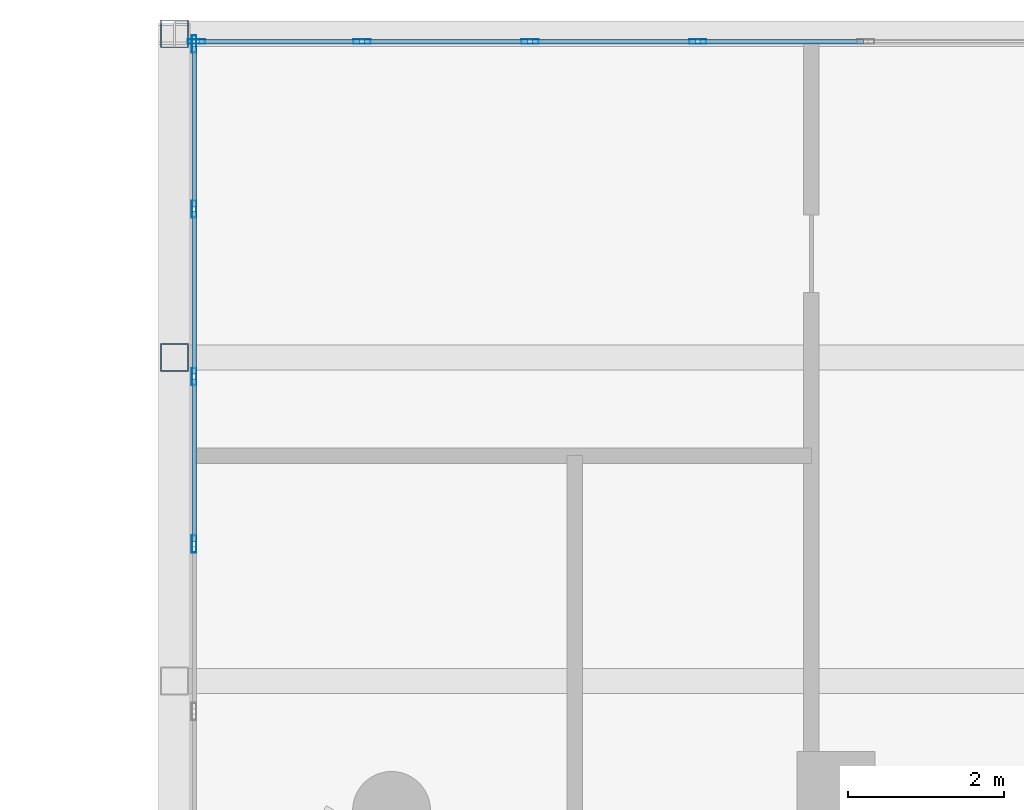
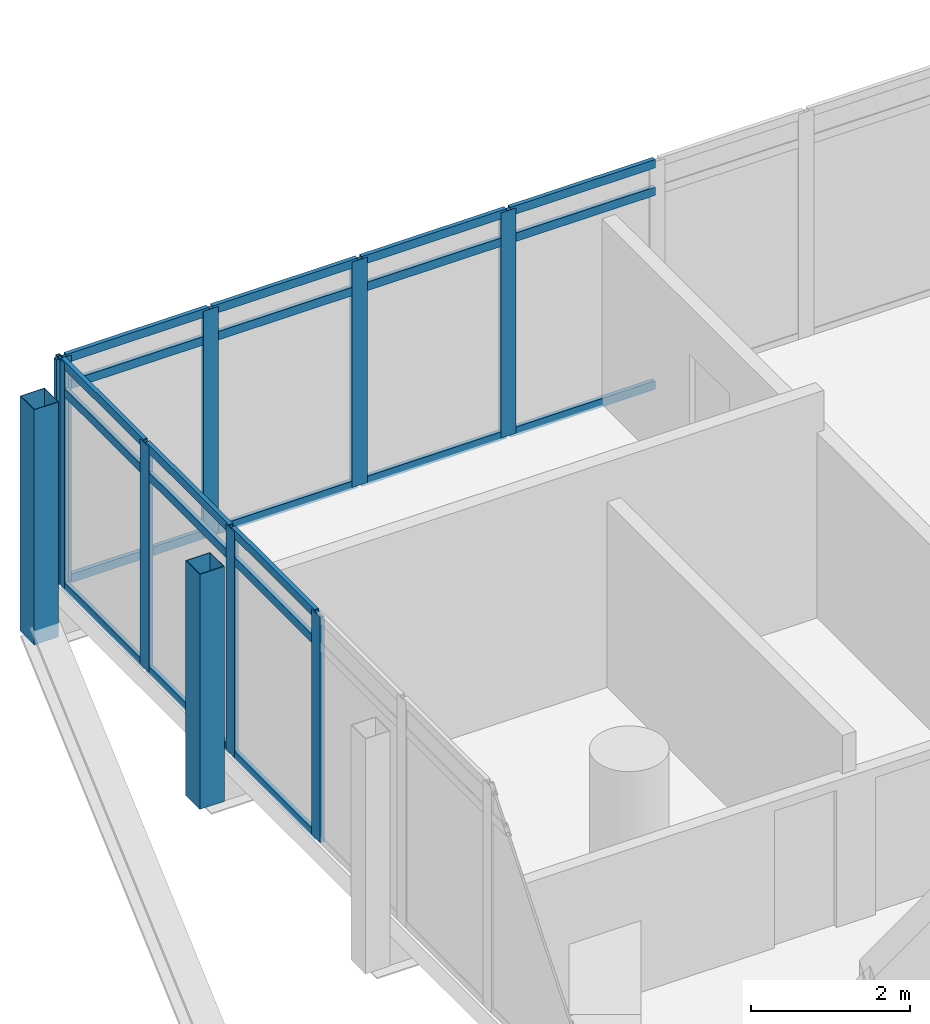
# One storey, part 20 of 38: 31 members, 2 elements without a shape of their own.
"""IFC4 building model written with IfcOpenShell, lengths in metres."""

from ifc_helpers import new_model, si_unit, direction, frame, origin, origin_2d, place, context, subcontext, project, spatial, hollow_rectangle, extrude, material, material_profile, profile_set, type_object, element, aggregate, save


model = new_model("IFC4")

# Units and contexts
model_context = context("Model", 3, precision=1e-05, world=origin(), true_north=direction((0.0, 1.0)))
body_context = subcontext(model_context, "Body", "Model", "MODEL_VIEW")
ifc_project = project(units=[si_unit("LENGTHUNIT", "METRE"), si_unit("AREAUNIT", "SQUARE_METRE"), si_unit("VOLUMEUNIT", "CUBIC_METRE"), si_unit("PLANEANGLEUNIT", "RADIAN"), si_unit("MASSUNIT", "GRAM", prefix="KILO")], contexts=[model_context])

# Site, building, storey
site_placement = place(None, origin())
site = spatial("IfcSite", under=ifc_project, at=site_placement, CompositionType="ELEMENT")
building_placement = place(site_placement, origin())
building = spatial("IfcBuilding", under=site, at=building_placement, Name="Ostrander Bayou Hotel Tower", CompositionType="ELEMENT")
storey_placement = place(building_placement, frame((0.0, 0.0, 194.5)))
storey = spatial("IfcBuildingStorey", under=building, at=storey_placement, Name="L48", CompositionType="ELEMENT", Elevation=194.5)

# Curtain wall, members
ifc_material_1 = material(Name="Aluminium and clear glass", Category="aluminium")
curtain_wall_type = type_object("IfcCurtainWallType", Name="CW-BAR glazed wall", PredefinedType="NOTDEFINED", material=ifc_material_1)
curtain_wall_1_placement = place(storey_placement, origin())
curtain_wall_1 = element("IfcCurtainWall", 1, at=curtain_wall_1_placement, inside=storey, type_object=curtain_wall_type, Name="CW-BAR L48:SB4N:E", PredefinedType="NOTDEFINED")
ifc_material_2 = material(Name="Aluminium", Category="aluminium")
ifc_material_profile_1 = material_profile(ifc_material_2, hollow_rectangle(XDim=0.06005859375, YDim=0.219970703125, WallThickness=0.00390625, at=origin_2d()))
ifc_profile_set_1 = profile_set([ifc_material_profile_1], Name="Aluminium")
member_type_1 = type_object("IfcMemberType", Name="CW-BR mullion 60 x 220 mm", PredefinedType="MULLION", material=ifc_profile_set_1)
member_1_placement = place(storey_placement, frame((-11.857177734375, 21.465576171875, 0.0), z_axis=(0.0, 0.0, 1.0), x_axis=(-1.0, 0.0, 0.0)))
member_1 = element("IfcMember", 2, at=member_1_placement, type_object=member_type_1, Name="CW-BAR mullion 7", PredefinedType="MULLION", context=body_context, shape_type="SweptSolid", body=[
    extrude(hollow_rectangle(XDim=0.06005859375, YDim=0.219970703125, WallThickness=0.00390625, at=origin_2d()), origin(), (0.0, 0.0, 1.0), 3.449951171875),
])
member_2_placement = place(storey_placement, frame((-11.857177734375, 23.61572265625, 0.0), z_axis=(0.0, 0.0, 1.0), x_axis=(-1.0, 0.0, 0.0)))
member_2 = element("IfcMember", 3, at=member_2_placement, type_object=member_type_1, Name="CW-BAR mullion 8", PredefinedType="MULLION", context=body_context, shape_type="SweptSolid", body=[
    extrude(hollow_rectangle(XDim=0.06005859375, YDim=0.219970703125, WallThickness=0.00390625, at=origin_2d()), origin(), (0.0, 0.0, 1.0), 3.449951171875),
])
member_3_placement = place(storey_placement, frame((-11.857177734375, 25.765869140625, 0.0), z_axis=(0.0, 0.0, 1.0), x_axis=(-1.0, 0.0, 0.0)))
member_3 = element("IfcMember", 4, at=member_3_placement, type_object=member_type_1, Name="CW-BAR mullion 9", PredefinedType="MULLION", context=body_context, shape_type="SweptSolid", body=[
    extrude(hollow_rectangle(XDim=0.06005859375, YDim=0.219970703125, WallThickness=0.00390625, at=origin_2d()), origin(), (0.0, 0.0, 1.0), 3.449951171875),
])
member_4_placement = place(storey_placement, frame((-11.857177734375, 27.885986328125, 0.0), z_axis=(0.0, 0.0, 1.0), x_axis=(-1.0, 0.0, 0.0)))
member_4 = element("IfcMember", 5, at=member_4_placement, type_object=member_type_1, Name="CW-BAR mullion 10", PredefinedType="MULLION", context=body_context, shape_type="SweptSolid", body=[
    extrude(hollow_rectangle(XDim=0.06005859375, YDim=0.219970703125, WallThickness=0.00390625, at=origin_2d()), origin(), (0.0, 0.0, 1.0), 3.449951171875),
])

curtain_wall_2_placement = place(storey_placement, origin())
curtain_wall_2 = element("IfcCurtainWall", 6, at=curtain_wall_2_placement, inside=storey, type_object=curtain_wall_type, Name="CW-BAR L48:SB4N:T", PredefinedType="NOTDEFINED")
member_5_placement = place(storey_placement, frame((-11.8271484375, 27.916015625, 0.0), z_axis=(0.0, 0.0, 1.0), x_axis=(0.0, 1.0, 0.0)))
member_5 = element("IfcMember", 7, at=member_5_placement, type_object=member_type_1, Name="CW-BAR mullion 1", PredefinedType="MULLION", context=body_context, shape_type="SweptSolid", body=[
    extrude(hollow_rectangle(XDim=0.06005859375, YDim=0.219970703125, WallThickness=0.00390625, at=origin_2d()), origin(), (0.0, 0.0, 1.0), 3.449951171875),
])
member_6_placement = place(storey_placement, frame((-9.701416015625, 27.916015625, 0.0), z_axis=(0.0, 0.0, 1.0), x_axis=(0.0, 1.0, 0.0)))
member_6 = element("IfcMember", 8, at=member_6_placement, type_object=member_type_1, Name="CW-BAR mullion 2", PredefinedType="MULLION", context=body_context, shape_type="SweptSolid", body=[
    extrude(hollow_rectangle(XDim=0.06005859375, YDim=0.219970703125, WallThickness=0.00390625, at=origin_2d()), origin(), (0.0, 0.0, 1.0), 3.449951171875),
])
member_7_placement = place(storey_placement, frame((-7.54541015625, 27.916015625, 0.0), z_axis=(0.0, 0.0, 1.0), x_axis=(0.0, 1.0, 0.0)))
member_7 = element("IfcMember", 9, at=member_7_placement, type_object=member_type_1, Name="CW-BAR mullion 3", PredefinedType="MULLION", context=body_context, shape_type="SweptSolid", body=[
    extrude(hollow_rectangle(XDim=0.06005859375, YDim=0.219970703125, WallThickness=0.00390625, at=origin_2d()), origin(), (0.0, 0.0, 1.0), 3.449951171875),
])
member_8_placement = place(storey_placement, frame((-5.3896484375, 27.916015625, 0.0), z_axis=(0.0, 0.0, 1.0), x_axis=(0.0, 1.0, 0.0)))
member_8 = element("IfcMember", 10, at=member_8_placement, type_object=member_type_1, Name="CW-BAR mullion 4", PredefinedType="MULLION", context=body_context, shape_type="SweptSolid", body=[
    extrude(hollow_rectangle(XDim=0.06005859375, YDim=0.219970703125, WallThickness=0.00390625, at=origin_2d()), origin(), (0.0, 0.0, 1.0), 3.449951171875),
])

# Member
ifc_material_3 = material(Name="Aluminium", Category="aluminium")
ifc_material_profile_2 = material_profile(ifc_material_3, hollow_rectangle(XDim=0.06005859375, YDim=0.1298828125, WallThickness=0.00390625, at=origin_2d()))
ifc_profile_set_2 = profile_set([ifc_material_profile_2], Name="Aluminium")
member_type_2 = type_object("IfcMemberType", Name="CW-BR transom 60 x 130 mm", PredefinedType="USERDEFINED", material=ifc_profile_set_2)
member_9_placement = place(storey_placement, frame((-11.857177734375, 21.49560546875, 0.030029296875), z_axis=(0.0, 1.0, 0.0), x_axis=(-1.0, 0.0, 0.0)))
member_9 = element("IfcMember", 11, at=member_9_placement, type_object=member_type_2, Name="CW-BAR transom 7.1", ObjectType="TRANSOM", PredefinedType="USERDEFINED", context=body_context, shape_type="SweptSolid", body=[
    extrude(hollow_rectangle(XDim=0.06005859375, YDim=0.1298828125, WallThickness=0.00390625, at=origin_2d()), origin(), (0.0, 0.0, 1.0), 2.090087890625),
])

member_10_placement = place(storey_placement, frame((-11.857177734375, 21.49560546875, 3.0), z_axis=(0.0, 1.0, 0.0), x_axis=(-1.0, 0.0, 0.0)))
member_10 = element("IfcMember", 12, at=member_10_placement, type_object=member_type_2, Name="CW-BAR transom 7.2", ObjectType="TRANSOM", PredefinedType="USERDEFINED", context=body_context, shape_type="SweptSolid", body=[
    extrude(hollow_rectangle(XDim=0.06005859375, YDim=0.1298828125, WallThickness=0.00390625, at=origin_2d()), origin(), (0.0, 0.0, 1.0), 2.090087890625),
])

member_11_placement = place(storey_placement, frame((-11.857177734375, 21.49560546875, 3.419921875), z_axis=(0.0, 1.0, 0.0), x_axis=(-1.0, 0.0, 0.0)))
member_11 = element("IfcMember", 13, at=member_11_placement, type_object=member_type_2, Name="CW-BAR transom 7.3", ObjectType="TRANSOM", PredefinedType="USERDEFINED", context=body_context, shape_type="SweptSolid", body=[
    extrude(hollow_rectangle(XDim=0.06005859375, YDim=0.1298828125, WallThickness=0.00390625, at=origin_2d()), origin(), (0.0, 0.0, 1.0), 2.090087890625),
])

member_12_placement = place(storey_placement, frame((-11.857177734375, 23.645751953125, 0.030029296875), z_axis=(0.0, 1.0, 0.0), x_axis=(-1.0, 0.0, 0.0)))
member_12 = element("IfcMember", 14, at=member_12_placement, type_object=member_type_2, Name="CW-BAR transom 8.1", ObjectType="TRANSOM", PredefinedType="USERDEFINED", context=body_context, shape_type="SweptSolid", body=[
    extrude(hollow_rectangle(XDim=0.06005859375, YDim=0.1298828125, WallThickness=0.00390625, at=origin_2d()), origin(), (0.0, 0.0, 1.0), 2.090087890625),
])

member_13_placement = place(storey_placement, frame((-11.857177734375, 23.645751953125, 3.0), z_axis=(0.0, 1.0, 0.0), x_axis=(-1.0, 0.0, 0.0)))
member_13 = element("IfcMember", 15, at=member_13_placement, type_object=member_type_2, Name="CW-BAR transom 8.2", ObjectType="TRANSOM", PredefinedType="USERDEFINED", context=body_context, shape_type="SweptSolid", body=[
    extrude(hollow_rectangle(XDim=0.06005859375, YDim=0.1298828125, WallThickness=0.00390625, at=origin_2d()), origin(), (0.0, 0.0, 1.0), 2.090087890625),
])

member_14_placement = place(storey_placement, frame((-11.857177734375, 23.645751953125, 3.419921875), z_axis=(0.0, 1.0, 0.0), x_axis=(-1.0, 0.0, 0.0)))
member_14 = element("IfcMember", 16, at=member_14_placement, type_object=member_type_2, Name="CW-BAR transom 8.3", ObjectType="TRANSOM", PredefinedType="USERDEFINED", context=body_context, shape_type="SweptSolid", body=[
    extrude(hollow_rectangle(XDim=0.06005859375, YDim=0.1298828125, WallThickness=0.00390625, at=origin_2d()), origin(), (0.0, 0.0, 1.0), 2.090087890625),
])

member_15_placement = place(storey_placement, frame((-11.857177734375, 25.7958984375, 0.030029296875), z_axis=(0.0, 1.0, 0.0), x_axis=(-1.0, 0.0, 0.0)))
member_15 = element("IfcMember", 17, at=member_15_placement, type_object=member_type_2, Name="CW-BAR transom 9.1", ObjectType="TRANSOM", PredefinedType="USERDEFINED", context=body_context, shape_type="SweptSolid", body=[
    extrude(hollow_rectangle(XDim=0.06005859375, YDim=0.1298828125, WallThickness=0.00390625, at=origin_2d()), origin(), (0.0, 0.0, 1.0), 2.060302734375),
])

member_16_placement = place(storey_placement, frame((-11.857177734375, 25.7958984375, 3.0), z_axis=(0.0, 1.0, 0.0), x_axis=(-1.0, 0.0, 0.0)))
member_16 = element("IfcMember", 18, at=member_16_placement, type_object=member_type_2, Name="CW-BAR transom 9.2", ObjectType="TRANSOM", PredefinedType="USERDEFINED", context=body_context, shape_type="SweptSolid", body=[
    extrude(hollow_rectangle(XDim=0.06005859375, YDim=0.1298828125, WallThickness=0.00390625, at=origin_2d()), origin(), (0.0, 0.0, 1.0), 2.060302734375),
])

member_17_placement = place(storey_placement, frame((-11.857177734375, 25.7958984375, 3.419921875), z_axis=(0.0, 1.0, 0.0), x_axis=(-1.0, 0.0, 0.0)))
member_17 = element("IfcMember", 19, at=member_17_placement, type_object=member_type_2, Name="CW-BAR transom 9.3", ObjectType="TRANSOM", PredefinedType="USERDEFINED", context=body_context, shape_type="SweptSolid", body=[
    extrude(hollow_rectangle(XDim=0.06005859375, YDim=0.1298828125, WallThickness=0.00390625, at=origin_2d()), origin(), (0.0, 0.0, 1.0), 2.060302734375),
])

aggregate(curtain_wall_1, [member_1, member_2, member_3, member_4, member_9, member_10, member_11, member_12, member_13, member_14, member_15, member_16, member_17])

member_18_placement = place(storey_placement, frame((-11.797119140625, 27.916015625, 0.030029296875), z_axis=(1.0, 0.0, 0.0), x_axis=(0.0, 1.0, 0.0)))
member_18 = element("IfcMember", 20, at=member_18_placement, type_object=member_type_2, Name="CW-BAR transom 1.1", ObjectType="TRANSOM", PredefinedType="USERDEFINED", context=body_context, shape_type="SweptSolid", body=[
    extrude(hollow_rectangle(XDim=0.06005859375, YDim=0.1298828125, WallThickness=0.00390625, at=origin_2d()), origin(), (0.0, 0.0, 1.0), 2.065673828125),
])

member_19_placement = place(storey_placement, frame((-11.797119140625, 27.916015625, 3.0), z_axis=(1.0, 0.0, 0.0), x_axis=(0.0, 1.0, 0.0)))
member_19 = element("IfcMember", 21, at=member_19_placement, type_object=member_type_2, Name="CW-BAR transom 1.2", ObjectType="TRANSOM", PredefinedType="USERDEFINED", context=body_context, shape_type="SweptSolid", body=[
    extrude(hollow_rectangle(XDim=0.06005859375, YDim=0.1298828125, WallThickness=0.00390625, at=origin_2d()), origin(), (0.0, 0.0, 1.0), 2.065673828125),
])

member_20_placement = place(storey_placement, frame((-11.797119140625, 27.916015625, 3.419921875), z_axis=(1.0, 0.0, 0.0), x_axis=(0.0, 1.0, 0.0)))
member_20 = element("IfcMember", 22, at=member_20_placement, type_object=member_type_2, Name="CW-BAR transom 1.3", ObjectType="TRANSOM", PredefinedType="USERDEFINED", context=body_context, shape_type="SweptSolid", body=[
    extrude(hollow_rectangle(XDim=0.06005859375, YDim=0.1298828125, WallThickness=0.00390625, at=origin_2d()), origin(), (0.0, 0.0, 1.0), 2.065673828125),
])

member_21_placement = place(storey_placement, frame((-9.67138671875, 27.916015625, 0.030029296875), z_axis=(1.0, 0.0, 0.0), x_axis=(0.0, 1.0, 0.0)))
member_21 = element("IfcMember", 23, at=member_21_placement, type_object=member_type_2, Name="CW-BAR transom 2.1", ObjectType="TRANSOM", PredefinedType="USERDEFINED", context=body_context, shape_type="SweptSolid", body=[
    extrude(hollow_rectangle(XDim=0.06005859375, YDim=0.1298828125, WallThickness=0.00390625, at=origin_2d()), origin(), (0.0, 0.0, 1.0), 2.095947265625),
])

member_22_placement = place(storey_placement, frame((-9.67138671875, 27.916015625, 3.0), z_axis=(1.0, 0.0, 0.0), x_axis=(0.0, 1.0, 0.0)))
member_22 = element("IfcMember", 24, at=member_22_placement, type_object=member_type_2, Name="CW-BAR transom 2.2", ObjectType="TRANSOM", PredefinedType="USERDEFINED", context=body_context, shape_type="SweptSolid", body=[
    extrude(hollow_rectangle(XDim=0.06005859375, YDim=0.1298828125, WallThickness=0.00390625, at=origin_2d()), origin(), (0.0, 0.0, 1.0), 2.095947265625),
])

member_23_placement = place(storey_placement, frame((-9.67138671875, 27.916015625, 3.419921875), z_axis=(1.0, 0.0, 0.0), x_axis=(0.0, 1.0, 0.0)))
member_23 = element("IfcMember", 25, at=member_23_placement, type_object=member_type_2, Name="CW-BAR transom 2.3", ObjectType="TRANSOM", PredefinedType="USERDEFINED", context=body_context, shape_type="SweptSolid", body=[
    extrude(hollow_rectangle(XDim=0.06005859375, YDim=0.1298828125, WallThickness=0.00390625, at=origin_2d()), origin(), (0.0, 0.0, 1.0), 2.095947265625),
])

member_24_placement = place(storey_placement, frame((-7.515380859375, 27.916015625, 0.030029296875), z_axis=(1.0, 0.0, 0.0), x_axis=(0.0, 1.0, 0.0)))
member_24 = element("IfcMember", 26, at=member_24_placement, type_object=member_type_2, Name="CW-BAR transom 3.1", ObjectType="TRANSOM", PredefinedType="USERDEFINED", context=body_context, shape_type="SweptSolid", body=[
    extrude(hollow_rectangle(XDim=0.06005859375, YDim=0.1298828125, WallThickness=0.00390625, at=origin_2d()), origin(), (0.0, 0.0, 1.0), 2.095703125),
])

member_25_placement = place(storey_placement, frame((-7.515380859375, 27.916015625, 3.0), z_axis=(1.0, 0.0, 0.0), x_axis=(0.0, 1.0, 0.0)))
member_25 = element("IfcMember", 27, at=member_25_placement, type_object=member_type_2, Name="CW-BAR transom 3.2", ObjectType="TRANSOM", PredefinedType="USERDEFINED", context=body_context, shape_type="SweptSolid", body=[
    extrude(hollow_rectangle(XDim=0.06005859375, YDim=0.1298828125, WallThickness=0.00390625, at=origin_2d()), origin(), (0.0, 0.0, 1.0), 2.095703125),
])

member_26_placement = place(storey_placement, frame((-7.515380859375, 27.916015625, 3.419921875), z_axis=(1.0, 0.0, 0.0), x_axis=(0.0, 1.0, 0.0)))
member_26 = element("IfcMember", 28, at=member_26_placement, type_object=member_type_2, Name="CW-BAR transom 3.3", ObjectType="TRANSOM", PredefinedType="USERDEFINED", context=body_context, shape_type="SweptSolid", body=[
    extrude(hollow_rectangle(XDim=0.06005859375, YDim=0.1298828125, WallThickness=0.00390625, at=origin_2d()), origin(), (0.0, 0.0, 1.0), 2.095703125),
])

member_27_placement = place(storey_placement, frame((-5.359619140625, 27.916015625, 0.030029296875), z_axis=(1.0, 0.0, 0.0), x_axis=(0.0, 1.0, 0.0)))
member_27 = element("IfcMember", 29, at=member_27_placement, type_object=member_type_2, Name="CW-BAR transom 4.1", ObjectType="TRANSOM", PredefinedType="USERDEFINED", context=body_context, shape_type="SweptSolid", body=[
    extrude(hollow_rectangle(XDim=0.06005859375, YDim=0.1298828125, WallThickness=0.00390625, at=origin_2d()), origin(), (0.0, 0.0, 1.0), 2.095947265625),
])

member_28_placement = place(storey_placement, frame((-5.359619140625, 27.916015625, 3.0), z_axis=(1.0, 0.0, 0.0), x_axis=(0.0, 1.0, 0.0)))
member_28 = element("IfcMember", 30, at=member_28_placement, type_object=member_type_2, Name="CW-BAR transom 4.2", ObjectType="TRANSOM", PredefinedType="USERDEFINED", context=body_context, shape_type="SweptSolid", body=[
    extrude(hollow_rectangle(XDim=0.06005859375, YDim=0.1298828125, WallThickness=0.00390625, at=origin_2d()), origin(), (0.0, 0.0, 1.0), 2.095947265625),
])

member_29_placement = place(storey_placement, frame((-5.359619140625, 27.916015625, 3.419921875), z_axis=(1.0, 0.0, 0.0), x_axis=(0.0, 1.0, 0.0)))
member_29 = element("IfcMember", 31, at=member_29_placement, type_object=member_type_2, Name="CW-BAR transom 4.3", ObjectType="TRANSOM", PredefinedType="USERDEFINED", context=body_context, shape_type="SweptSolid", body=[
    extrude(hollow_rectangle(XDim=0.06005859375, YDim=0.1298828125, WallThickness=0.00390625, at=origin_2d()), origin(), (0.0, 0.0, 1.0), 2.095947265625),
])

aggregate(curtain_wall_2, [member_5, member_6, member_7, member_8, member_18, member_19, member_20, member_21, member_22, member_23, member_24, member_25, member_26, member_27, member_28, member_29])

# Members
ifc_material_4 = material(Name="Steel ASTM A500 Gr C", Category="steel")
ifc_material_profile_3 = material_profile(ifc_material_4, hollow_rectangle(XDim=0.355712890625, YDim=0.355712890625, WallThickness=0.0087890625, at=origin_2d()))
ifc_profile_set_3 = profile_set([ifc_material_profile_3], Name="Steel ASTM A500 Gr C")
member_type_3 = type_object("IfcMemberType", Name="TH3 bar hanger HSS14x14x3/8", PredefinedType="POST", material=ifc_profile_set_3)
for number, where, z_axis, x_axis, name in (
    (32, (-12.110107421875, 28.01611328125, -0.760986328125), (0.0, 0.0, 1.0), (1.0, 0.0, 0.0), "TH3 SB4WA H1-1"),
    (33, (-12.110107421875, 23.861328125, -0.760986328125), (0.0, 0.0, 1.0), (1.0, 0.0, 0.0), "TH3 SB4WA H2-1"),
):
    element("IfcMember", number, at=place(storey_placement, frame(where, z_axis=z_axis, x_axis=x_axis)), inside=storey, type_object=member_type_3, Name=name, PredefinedType="POST", context=body_context, shape_type="SweptSolid", body=[
        extrude(hollow_rectangle(XDim=0.355712890625, YDim=0.355712890625, WallThickness=0.0087890625, at=origin_2d()), origin(), (0.0, 0.0, 1.0), 3.599853515625),
    ])

save(model, "model.ifc")
